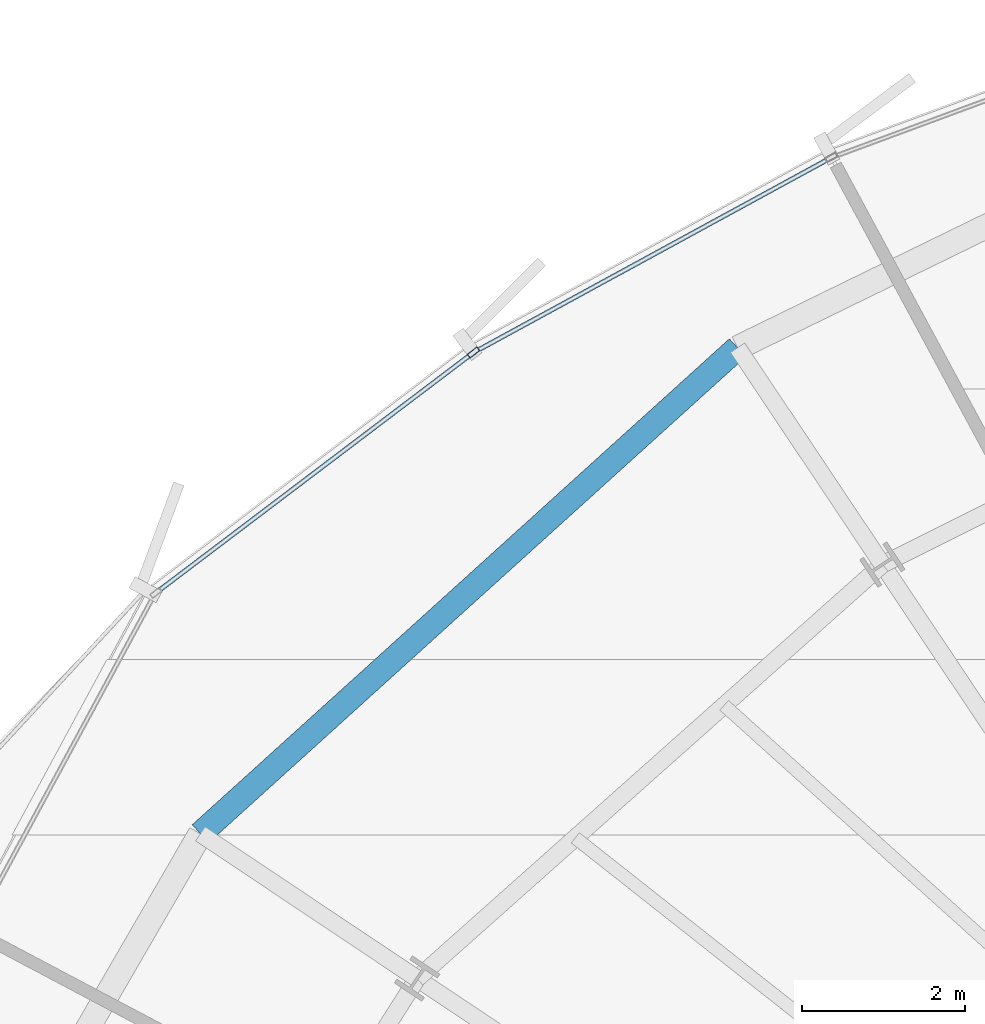
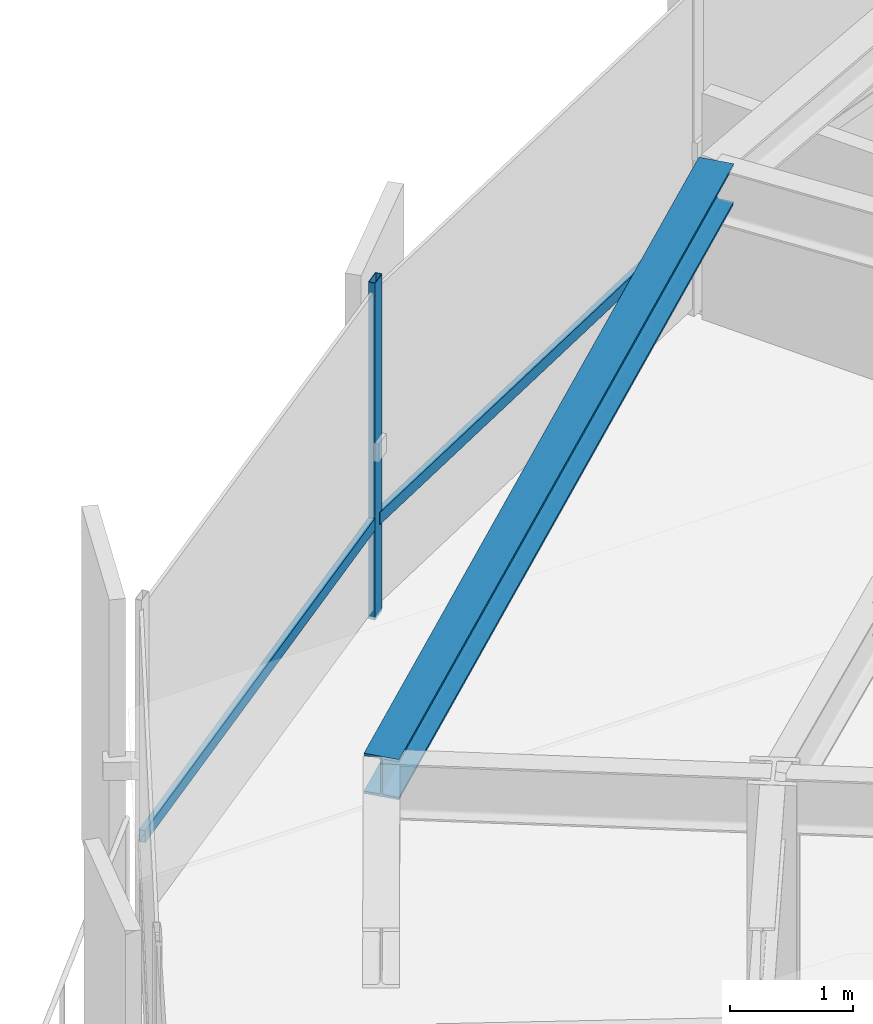
# One storey, part 19 of 35: 3 members, 1 beam, 1 element without a shape of its own.
"""IFC4 building model written with IfcOpenShell, lengths in metres."""

from ifc_helpers import new_model, si_unit, direction, frame, origin, origin_2d, place, context, subcontext, project, spatial, hollow_rectangle, i_section, extrude, source, transform, mapped, material, layer, layer_set, material_profile, profile_set, type_object, element, aggregate, save


model = new_model("IFC4")

# Units and contexts
model_context = context("Model", 3, precision=1e-05, world=origin(), true_north=direction((0.0, 1.0)))
body_context = subcontext(model_context, "Body", "Model", "MODEL_VIEW")
ifc_project = project(units=[si_unit("LENGTHUNIT", "METRE"), si_unit("AREAUNIT", "SQUARE_METRE"), si_unit("VOLUMEUNIT", "CUBIC_METRE"), si_unit("PLANEANGLEUNIT", "RADIAN"), si_unit("MASSUNIT", "GRAM", prefix="KILO"), si_unit("THERMODYNAMICTEMPERATUREUNIT", "KELVIN")], contexts=[model_context])

# Site, building, storey
site_placement = place(None, origin())
site = spatial("IfcSite", under=ifc_project, at=site_placement, CompositionType="ELEMENT")
building_placement = place(site_placement, origin())
building = spatial("IfcBuilding", under=site, at=building_placement, Name="Kethvar Cultural Tower", CompositionType="ELEMENT")
storey_placement = place(building_placement, frame((0.0, 0.0, 100.0)))
storey = spatial("IfcBuildingStorey", under=building, at=storey_placement, Name="L24", CompositionType="ELEMENT", Elevation=100.0)

# Beam
ifc_material_1 = material(Name="Steel S355J2", Category="steel")
ifc_material_profile_1 = material_profile(ifc_material_1, i_section(OverallWidth=0.300048828125, OverallDepth=0.39990234375, WebThickness=0.013427734375, FlangeThickness=0.02392578125, FilletRadius=0.027099609375, at=origin_2d()), Name="Steel S355J2 — HEB400")
ifc_profile_set_1 = profile_set([ifc_material_profile_1], Name="Steel S355J2 — HEB400")
beam_type = type_object("IfcBeamType", Name="BM-SP400", PredefinedType="SPANDREL", material=ifc_profile_set_1)
shared_shape_1 = source(origin(), body_context, "Body", "SweptSolid", [
    extrude(i_section(OverallWidth=0.300048828125, OverallDepth=0.39990234375, WebThickness=0.013427734375, FlangeThickness=0.02392578125, FilletRadius=0.027099609375, at=origin_2d()), origin(), (0.0, 0.0, 1.0), 8.892822265625),
])
beam_placement = place(storey_placement, frame((34.27978515625, 46.5380859375, 3.14794921875), z_axis=(-0.741556591679, -0.670890319901, 0.0), x_axis=(0.670890319901, -0.741556591679, 0.0)))
element("IfcBeam", 1, at=beam_placement, inside=storey, type_object=beam_type, Name="L24 Perimeter Spandrel Beam SP-06", PredefinedType="SPANDREL", context=body_context, shape_type="MappedRepresentation", body=[
    mapped(shared_shape_1, transform((0.0, 0.0, 0.0), scale=1.0)),
])

# Curtain wall, members
ifc_material_2 = material(Name="Aluminium 6063-T6", Category="aluminium")
ifc_layer = layer(ifc_material_2, 0.179931640625, Name="Aluminium 6063-T6", Category="aluminium")
ifc_layer_set = layer_set([ifc_layer], Name="Aluminium 6063-T6 (180 mm)")
curtain_wall_type = type_object("IfcCurtainWallType", Name="CW-SYS-03-Z2", PredefinedType="NOTDEFINED", material=ifc_layer_set)
curtain_wall_placement = place(storey_placement, origin())
curtain_wall = element("IfcCurtainWall", 2, at=curtain_wall_placement, inside=storey, type_object=curtain_wall_type, Name="L24 Curtain Wall Run 02", PredefinedType="NOTDEFINED")
ifc_material_profile_2 = material_profile(ifc_material_2, hollow_rectangle(XDim=0.06005859375, YDim=0.14990234375, WallThickness=0.0048828125, at=origin_2d()), Name="Aluminium 6063-T6 — RHS150x60x5")
ifc_profile_set_2 = profile_set([ifc_material_profile_2], Name="Aluminium 6063-T6 — RHS150x60x5")
member_type_1 = type_object("IfcMemberType", Name="CW-SYS-03-Z2-MUL", PredefinedType="MULLION", material=ifc_profile_set_2)
shared_shape_2 = source(origin(), body_context, "Body", "SweptSolid", [
    extrude(hollow_rectangle(XDim=0.06005859375, YDim=0.14990234375, WallThickness=0.0048828125, at=origin_2d()), origin(), (0.0, 0.0, 1.0), 3.35009765625),
])
member_1_placement = place(storey_placement, frame((31.03857421875, 46.481201171875, 0.0), z_axis=(0.0, 0.0, 1.0), x_axis=(0.603486360302, -0.797373320929, 0.0)))
member_1 = element("IfcMember", 3, at=member_1_placement, type_object=member_type_1, Name="CW-L24-R02 Mullion 6", PredefinedType="MULLION", context=body_context, shape_type="MappedRepresentation", body=[
    mapped(shared_shape_2, transform((0.0, 0.0, 0.0), scale=1.0)),
])
ifc_material_profile_3 = material_profile(ifc_material_2, hollow_rectangle(XDim=0.054931640625, YDim=0.1201171875, WallThickness=0.00390625, at=origin_2d()), Name="Aluminium 6063-T6 — RHS120x55x4")
ifc_profile_set_3 = profile_set([ifc_material_profile_3], Name="Aluminium 6063-T6 — RHS120x55x4")
member_type_2 = type_object("IfcMemberType", Name="CW-SYS-03-Z2-TRN", PredefinedType="USERDEFINED", material=ifc_profile_set_3)
shared_shape_3 = source(origin(), body_context, "Body", "SweptSolid", [
    extrude(hollow_rectangle(XDim=0.054931640625, YDim=0.1201171875, WallThickness=0.00390625, at=origin_2d()), origin(), (0.0, 0.0, 1.0), 4.93603515625),
])
member_2_placement = place(storey_placement, frame((35.396240234375, 48.8544921875, 0.949951171875), z_axis=(-0.878071303116, -0.478529817926, 0.0), x_axis=(0.478529817926, -0.878071303116, 0.0)))
member_2 = element("IfcMember", 4, at=member_2_placement, type_object=member_type_2, Name="CW-L24-R02 Transom 5", ObjectType="TRANSOM", PredefinedType="USERDEFINED", context=body_context, shape_type="MappedRepresentation", body=[
    mapped(shared_shape_3, transform((0.0, 0.0, 0.0), scale=1.0)),
])
shared_shape_4 = source(origin(), body_context, "Body", "SweptSolid", [
    extrude(hollow_rectangle(XDim=0.054931640625, YDim=0.1201171875, WallThickness=0.00390625, at=origin_2d()), origin(), (0.0, 0.0, 1.0), 4.84130859375),
])
member_3_placement = place(storey_placement, frame((31.004150390625, 46.455078125, 0.949951171875), z_axis=(-0.797378184024, -0.603479934747, 0.0), x_axis=(0.603479934747, -0.797378184024, 0.0)))
member_3 = element("IfcMember", 5, at=member_3_placement, type_object=member_type_2, Name="CW-L24-R02 Transom 6", ObjectType="TRANSOM", PredefinedType="USERDEFINED", context=body_context, shape_type="MappedRepresentation", body=[
    mapped(shared_shape_4, transform((0.0, 0.0, 0.0), scale=1.0)),
])
aggregate(curtain_wall, [member_1, member_2, member_3])

save(model, "model.ifc")
